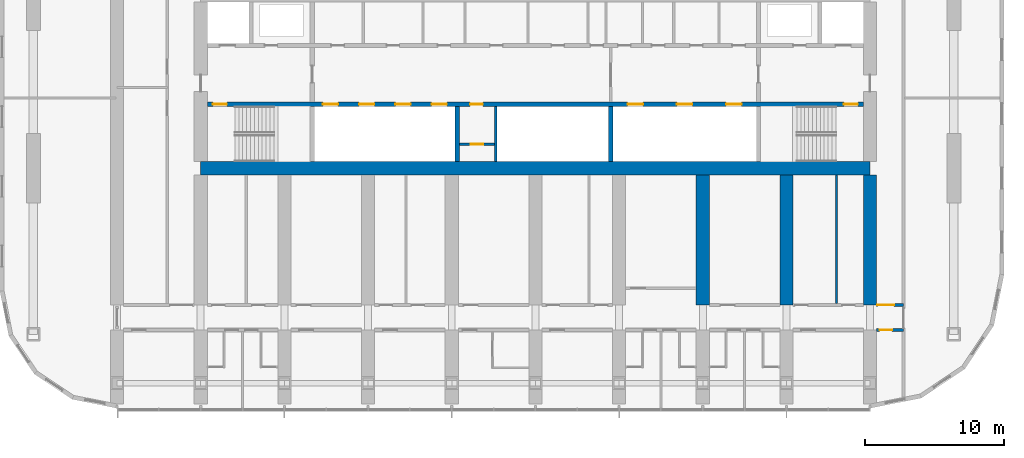
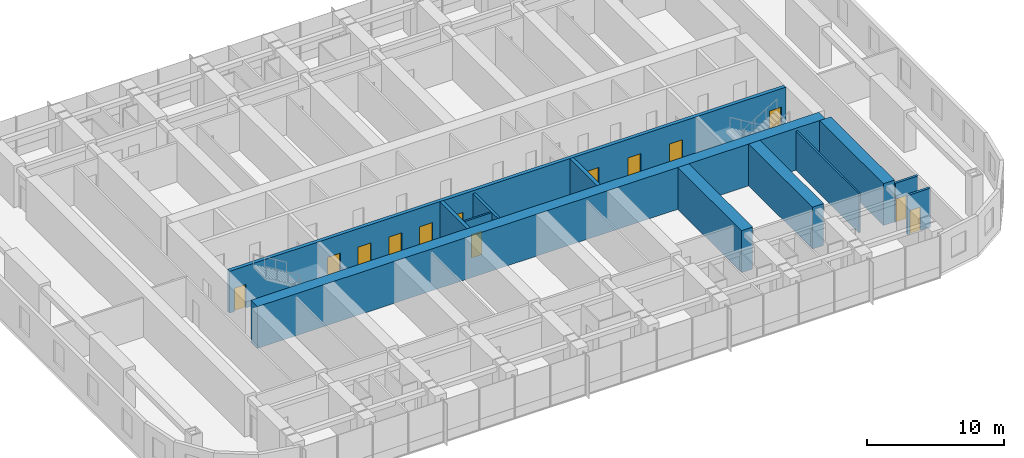
# One storey, part 11 of 21: 13 doors, 12 walls, 13 openings.
"""IFC4 building model written with IfcOpenShell, lengths in metres."""

from ifc_helpers import new_model, si_unit, direction, frame, frame_2d, origin, place, context, subcontext, project, spatial, rectangle, extrude, material, layer, layer_set, type_object, element, fill, save


model = new_model("IFC4")

# Units and contexts
model_context = context("Model", 3, precision=1e-05, world=origin(), true_north=direction((0.0, 1.0)))
body_context = subcontext(model_context, "Body", "Model", "MODEL_VIEW")
ifc_project = project(units=[si_unit("LENGTHUNIT", "METRE"), si_unit("AREAUNIT", "SQUARE_METRE"), si_unit("VOLUMEUNIT", "CUBIC_METRE"), si_unit("PLANEANGLEUNIT", "RADIAN"), si_unit("MASSUNIT", "GRAM", prefix="KILO")], contexts=[model_context])

# Site, building, storey
site_placement = place(None, origin())
site = spatial("IfcSite", under=ifc_project, at=site_placement, CompositionType="ELEMENT")
building_placement = place(site_placement, origin())
building = spatial("IfcBuilding", under=site, at=building_placement, Name="Orbita Commons", CompositionType="ELEMENT")
storey_placement = place(building_placement, frame((0.0, 0.0, 125.64990234375)))
storey = spatial("IfcBuildingStorey", under=building, at=storey_placement, Name="L31", CompositionType="ELEMENT", Elevation=125.64990234375)

# Wall, openings, doors
ifc_material_1 = material(Name="Concrete C50/60", Category="concrete")
ifc_layer_1 = layer(ifc_material_1, 0.300048828125)
ifc_layer_set_1 = layer_set([ifc_layer_1], Name="Concrete C50/60")
wall_type_1 = type_object("IfcWallType", Name="Core inner wall 300 C50/60", PredefinedType="SHEAR", material=ifc_layer_set_1)
wall_1_placement = place(storey_placement, frame((18.47509765625, 30.39990234375, 0.0), z_axis=(0.0, 0.0, 1.0), x_axis=(1.0, 0.0, 0.0)))
wall_1 = element("IfcWall", 1, at=wall_1_placement, inside=storey, type_object=wall_type_1, Name="Lobby wall south L31", PredefinedType="SHEAR", context=body_context, shape_type="SweptSolid", body=[
    extrude(rectangle(XDim=47.0498046875, YDim=0.300048828125, at=frame_2d((23.52490234375, 0.0))), origin(), (0.0, 0.0, 1.0), 3.75),
])
opening_1_placement = place(wall_1_placement, frame((0.39990234375, 0.0, 0.0)))
opening_1 = element("IfcOpeningElement", 2, at=opening_1_placement, cuts=wall_1, Name="Opening D02", PredefinedType="OPENING", context=body_context, shape_type="SweptSolid", body=[
    extrude(rectangle(XDim=1.0, YDim=2.10009765625, at=frame_2d((0.5, 1.050048828125))), frame((0.0, 0.159912109375, 0.0), z_axis=(0.0, -1.0, 0.0), x_axis=(1.0, 0.0, 0.0)), (0.0, 0.0, 1.0), 0.320068359375),
])
opening_2_placement = place(wall_1_placement, frame((45.64990234375, 0.0, 0.0)))
opening_2 = element("IfcOpeningElement", 3, at=opening_2_placement, cuts=wall_1, Name="Opening D02", PredefinedType="OPENING", context=body_context, shape_type="SweptSolid", body=[
    extrude(rectangle(XDim=1.0, YDim=2.10009765625, at=frame_2d((0.5, 1.050048828125))), frame((0.0, 0.159912109375, 0.0), z_axis=(0.0, -1.0, 0.0), x_axis=(1.0, 0.0, 0.0)), (0.0, 0.0, 1.0), 0.320068359375),
])
opening_3_placement = place(wall_1_placement, frame((8.27490234375, 0.0, 0.0)))
opening_3 = element("IfcOpeningElement", 4, at=opening_3_placement, cuts=wall_1, Name="Opening LD02", PredefinedType="OPENING", context=body_context, shape_type="SweptSolid", body=[
    extrude(rectangle(XDim=1.10009765625, YDim=2.10009765625, at=frame_2d((0.550048828125, 1.050048828125))), frame((0.0, 0.159912109375, 0.0), z_axis=(0.0, -1.0, 0.0), x_axis=(1.0, 0.0, 0.0)), (0.0, 0.0, 1.0), 0.320068359375),
])
opening_4_placement = place(wall_1_placement, frame((10.875, 0.0, 0.0)))
opening_4 = element("IfcOpeningElement", 5, at=opening_4_placement, cuts=wall_1, Name="Opening LD02", PredefinedType="OPENING", context=body_context, shape_type="SweptSolid", body=[
    extrude(rectangle(XDim=1.10009765625, YDim=2.10009765625, at=frame_2d((0.550048828125, 1.050048828125))), frame((0.0, 0.159912109375, 0.0), z_axis=(0.0, -1.0, 0.0), x_axis=(1.0, 0.0, 0.0)), (0.0, 0.0, 1.0), 0.320068359375),
])
opening_5_placement = place(wall_1_placement, frame((13.47509765625, 0.0, 0.0)))
opening_5 = element("IfcOpeningElement", 6, at=opening_5_placement, cuts=wall_1, Name="Opening LD02", PredefinedType="OPENING", context=body_context, shape_type="SweptSolid", body=[
    extrude(rectangle(XDim=1.10009765625, YDim=2.10009765625, at=frame_2d((0.550048828125, 1.050048828125))), frame((0.0, 0.159912109375, 0.0), z_axis=(0.0, -1.0, 0.0), x_axis=(1.0, 0.0, 0.0)), (0.0, 0.0, 1.0), 0.320068359375),
])
opening_6_placement = place(wall_1_placement, frame((16.074951171875, 0.0, 0.0)))
opening_6 = element("IfcOpeningElement", 7, at=opening_6_placement, cuts=wall_1, Name="Opening LD02", PredefinedType="OPENING", context=body_context, shape_type="SweptSolid", body=[
    extrude(rectangle(XDim=1.10009765625, YDim=2.10009765625, at=frame_2d((0.550048828125, 1.050048828125))), frame((0.0, 0.159912109375, 0.0), z_axis=(0.0, -1.0, 0.0), x_axis=(1.0, 0.0, 0.0)), (0.0, 0.0, 1.0), 0.320068359375),
])
opening_7_placement = place(wall_1_placement, frame((18.85009765625, 0.0, 0.0)))
opening_7 = element("IfcOpeningElement", 8, at=opening_7_placement, cuts=wall_1, Name="Opening D05", PredefinedType="OPENING", context=body_context, shape_type="SweptSolid", body=[
    extrude(rectangle(XDim=0.89990234375, YDim=2.10009765625, at=frame_2d((0.449951171875, 1.050048828125))), frame((0.0, 0.159912109375, 0.0), z_axis=(0.0, -1.0, 0.0), x_axis=(1.0, 0.0, 0.0)), (0.0, 0.0, 1.0), 0.320068359375),
])
opening_8_placement = place(wall_1_placement, frame((30.1416015625, 0.0, 0.0)))
opening_8 = element("IfcOpeningElement", 9, at=opening_8_placement, cuts=wall_1, Name="Opening LD02", PredefinedType="OPENING", context=body_context, shape_type="SweptSolid", body=[
    extrude(rectangle(XDim=1.10009765625, YDim=2.10009765625, at=frame_2d((0.550048828125, 1.050048828125))), frame((0.0, 0.159912109375, 0.0), z_axis=(0.0, -1.0, 0.0), x_axis=(1.0, 0.0, 0.0)), (0.0, 0.0, 1.0), 0.320068359375),
])
opening_9_placement = place(wall_1_placement, frame((33.675048828125, 0.0, 0.0)))
opening_9 = element("IfcOpeningElement", 10, at=opening_9_placement, cuts=wall_1, Name="Opening LD02", PredefinedType="OPENING", context=body_context, shape_type="SweptSolid", body=[
    extrude(rectangle(XDim=1.10009765625, YDim=2.10009765625, at=frame_2d((0.550048828125, 1.050048828125))), frame((0.0, 0.159912109375, 0.0), z_axis=(0.0, -1.0, 0.0), x_axis=(1.0, 0.0, 0.0)), (0.0, 0.0, 1.0), 0.320068359375),
])
opening_10_placement = place(wall_1_placement, frame((37.208251953125, 0.0, 0.0)))
opening_10 = element("IfcOpeningElement", 11, at=opening_10_placement, cuts=wall_1, Name="Opening LD02", PredefinedType="OPENING", context=body_context, shape_type="SweptSolid", body=[
    extrude(rectangle(XDim=1.10009765625, YDim=2.10009765625, at=frame_2d((0.550048828125, 1.050048828125))), frame((0.0, 0.159912109375, 0.0), z_axis=(0.0, -1.0, 0.0), x_axis=(1.0, 0.0, 0.0)), (0.0, 0.0, 1.0), 0.320068359375),
])
ifc_material_2 = material(Name="Steel-faced fire door leaf", Category="steel")
door_type_1 = type_object("IfcDoorType", Name="Fire door 90 min 1000x2100", OperationType="SINGLE_SWING_LEFT", PredefinedType="DOOR", material=ifc_material_2)
door_1_placement = place(opening_1_placement, origin())
door_1 = element("IfcDoor", 12, at=door_1_placement, inside=storey, type_object=door_type_1, Name="Stair S1 door", OperationType="SINGLE_SWING_LEFT", OverallHeight=2.10009765625, OverallWidth=1.0, PredefinedType="DOOR", context=body_context, shape_type="SweptSolid", body=[
    extrude(rectangle(XDim=1.0, YDim=2.10009765625, at=frame_2d((0.5, 1.050048828125))), frame((0.0, 0.02490234375, 0.0), z_axis=(0.0, -1.0, 0.0), x_axis=(1.0, 0.0, 0.0)), (0.0, 0.0, 1.0), 0.050048828125),
])
fill(opening_1, door_1)
door_2_placement = place(opening_2_placement, origin())
door_2 = element("IfcDoor", 13, at=door_2_placement, inside=storey, type_object=door_type_1, Name="Stair S2 door", OperationType="SINGLE_SWING_LEFT", OverallHeight=2.10009765625, OverallWidth=1.0, PredefinedType="DOOR", context=body_context, shape_type="SweptSolid", body=[
    extrude(rectangle(XDim=1.0, YDim=2.10009765625, at=frame_2d((0.5, 1.050048828125))), frame((0.0, 0.02490234375, 0.0), z_axis=(0.0, -1.0, 0.0), x_axis=(1.0, 0.0, 0.0)), (0.0, 0.0, 1.0), 0.050048828125),
])
fill(opening_2, door_2)
ifc_material_3 = material(Name="Steel-faced fire door leaf", Category="steel")
door_type_2 = type_object("IfcDoorType", Name="Lift landing door 1100x2100", OperationType="DOUBLE_DOOR_SLIDING", PredefinedType="DOOR", material=ifc_material_3)
door_3_placement = place(opening_3_placement, origin())
door_3 = element("IfcDoor", 14, at=door_3_placement, inside=storey, type_object=door_type_2, Name="Lift P21 landing door", OperationType="DOUBLE_DOOR_SLIDING", OverallHeight=2.10009765625, OverallWidth=1.10009765625, PredefinedType="DOOR", context=body_context, shape_type="SweptSolid", body=[
    extrude(rectangle(XDim=1.10009765625, YDim=2.10009765625, at=frame_2d((0.550048828125, 1.050048828125))), frame((0.0, 0.02490234375, 0.0), z_axis=(0.0, -1.0, 0.0), x_axis=(1.0, 0.0, 0.0)), (0.0, 0.0, 1.0), 0.050048828125),
])
fill(opening_3, door_3)
door_4_placement = place(opening_4_placement, origin())
door_4 = element("IfcDoor", 15, at=door_4_placement, inside=storey, type_object=door_type_2, Name="Lift P22 landing door", OperationType="DOUBLE_DOOR_SLIDING", OverallHeight=2.10009765625, OverallWidth=1.10009765625, PredefinedType="DOOR", context=body_context, shape_type="SweptSolid", body=[
    extrude(rectangle(XDim=1.10009765625, YDim=2.10009765625, at=frame_2d((0.550048828125, 1.050048828125))), frame((0.0, 0.02490234375, 0.0), z_axis=(0.0, -1.0, 0.0), x_axis=(1.0, 0.0, 0.0)), (0.0, 0.0, 1.0), 0.050048828125),
])
fill(opening_4, door_4)
door_5_placement = place(opening_5_placement, origin())
door_5 = element("IfcDoor", 16, at=door_5_placement, inside=storey, type_object=door_type_2, Name="Lift P23 landing door", OperationType="DOUBLE_DOOR_SLIDING", OverallHeight=2.10009765625, OverallWidth=1.10009765625, PredefinedType="DOOR", context=body_context, shape_type="SweptSolid", body=[
    extrude(rectangle(XDim=1.10009765625, YDim=2.10009765625, at=frame_2d((0.550048828125, 1.050048828125))), frame((0.0, 0.02490234375, 0.0), z_axis=(0.0, -1.0, 0.0), x_axis=(1.0, 0.0, 0.0)), (0.0, 0.0, 1.0), 0.050048828125),
])
fill(opening_5, door_5)
door_6_placement = place(opening_6_placement, origin())
door_6 = element("IfcDoor", 17, at=door_6_placement, inside=storey, type_object=door_type_2, Name="Lift P24 landing door", OperationType="DOUBLE_DOOR_SLIDING", OverallHeight=2.10009765625, OverallWidth=1.10009765625, PredefinedType="DOOR", context=body_context, shape_type="SweptSolid", body=[
    extrude(rectangle(XDim=1.10009765625, YDim=2.10009765625, at=frame_2d((0.550048828125, 1.050048828125))), frame((0.0, 0.02490234375, 0.0), z_axis=(0.0, -1.0, 0.0), x_axis=(1.0, 0.0, 0.0)), (0.0, 0.0, 1.0), 0.050048828125),
])
fill(opening_6, door_6)
door_7_placement = place(opening_8_placement, origin())
door_7 = element("IfcDoor", 18, at=door_7_placement, inside=storey, type_object=door_type_2, Name="Lift SV1 landing door", OperationType="DOUBLE_DOOR_SLIDING", OverallHeight=2.10009765625, OverallWidth=1.10009765625, PredefinedType="DOOR", context=body_context, shape_type="SweptSolid", body=[
    extrude(rectangle(XDim=1.10009765625, YDim=2.10009765625, at=frame_2d((0.550048828125, 1.050048828125))), frame((0.0, 0.02490234375, 0.0), z_axis=(0.0, -1.0, 0.0), x_axis=(1.0, 0.0, 0.0)), (0.0, 0.0, 1.0), 0.050048828125),
])
fill(opening_8, door_7)
door_8_placement = place(opening_9_placement, origin())
door_8 = element("IfcDoor", 19, at=door_8_placement, inside=storey, type_object=door_type_2, Name="Lift SV2 landing door", OperationType="DOUBLE_DOOR_SLIDING", OverallHeight=2.10009765625, OverallWidth=1.10009765625, PredefinedType="DOOR", context=body_context, shape_type="SweptSolid", body=[
    extrude(rectangle(XDim=1.10009765625, YDim=2.10009765625, at=frame_2d((0.550048828125, 1.050048828125))), frame((0.0, 0.02490234375, 0.0), z_axis=(0.0, -1.0, 0.0), x_axis=(1.0, 0.0, 0.0)), (0.0, 0.0, 1.0), 0.050048828125),
])
fill(opening_9, door_8)
door_9_placement = place(opening_10_placement, origin())
door_9 = element("IfcDoor", 20, at=door_9_placement, inside=storey, type_object=door_type_2, Name="Lift SV3 landing door", OperationType="DOUBLE_DOOR_SLIDING", OverallHeight=2.10009765625, OverallWidth=1.10009765625, PredefinedType="DOOR", context=body_context, shape_type="SweptSolid", body=[
    extrude(rectangle(XDim=1.10009765625, YDim=2.10009765625, at=frame_2d((0.550048828125, 1.050048828125))), frame((0.0, 0.02490234375, 0.0), z_axis=(0.0, -1.0, 0.0), x_axis=(1.0, 0.0, 0.0)), (0.0, 0.0, 1.0), 0.050048828125),
])
fill(opening_10, door_9)
ifc_material_4 = material(Name="Steel-faced fire door leaf", Category="steel")
door_type_3 = type_object("IfcDoorType", Name="Service door 20 min 900x2100", OperationType="SINGLE_SWING_LEFT", PredefinedType="DOOR", material=ifc_material_4)
door_10_placement = place(opening_7_placement, origin())
door_10 = element("IfcDoor", 21, at=door_10_placement, inside=storey, type_object=door_type_3, Name="Residents' store door", OperationType="SINGLE_SWING_LEFT", OverallHeight=2.10009765625, OverallWidth=0.89990234375, PredefinedType="DOOR", context=body_context, shape_type="SweptSolid", body=[
    extrude(rectangle(XDim=0.89990234375, YDim=2.10009765625, at=frame_2d((0.449951171875, 1.050048828125))), frame((0.0, 0.02490234375, 0.0), z_axis=(0.0, -1.0, 0.0), x_axis=(1.0, 0.0, 0.0)), (0.0, 0.0, 1.0), 0.050048828125),
])
fill(opening_7, door_10)

# Walls
for number, where, z_axis, x_axis, name in (
    (22, (36.39990234375, 26.27490234375, 0.0), (0.0, 0.0, 1.0), (0.0, 1.0, 0.0), "Hoistway division wall L31"),
    (23, (47.39990234375, 26.27490234375, 0.0), (0.0, 0.0, 1.0), (0.0, 1.0, 0.0), "Hoistway division wall L31"),
):
    element("IfcWall", number, at=place(storey_placement, frame(where, z_axis=z_axis, x_axis=x_axis)), inside=storey, type_object=wall_type_1, Name=name, PredefinedType="SHEAR", context=body_context, shape_type="SweptSolid", body=[
        extrude(rectangle(XDim=3.97509765625, YDim=0.300048828125, at=frame_2d((1.987548828125, 0.0))), origin(), (0.0, 0.0, 1.0), 3.75),
    ])

# Wall, opening, door
ifc_material_5 = material(Name="Concrete blockwork", Category="masonry")
ifc_layer_2 = layer(ifc_material_5, 0.14990234375)
ifc_layer_set_2 = layer_set([ifc_layer_2], Name="Concrete blockwork")
wall_type_2 = type_object("IfcWallType", Name="Core partition 150 blockwork", PredefinedType="SOLIDWALL", material=ifc_layer_set_2)
wall_2_placement = place(storey_placement, frame((36.550048828125, 27.52490234375, 0.0), z_axis=(0.0, 0.0, 1.0), x_axis=(1.0, 0.0, 0.0)))
wall_2 = element("IfcWall", 24, at=wall_2_placement, inside=storey, type_object=wall_type_2, Name="Core partition 150 blockwork L31", PredefinedType="SOLIDWALL", context=body_context, shape_type="SweptSolid", body=[
    extrude(rectangle(XDim=2.5, YDim=0.14990234375, at=frame_2d((1.25, 0.0))), origin(), (0.0, 0.0, 1.0), 3.5),
])
opening_11_placement = place(wall_2_placement, frame((0.800048828125, 0.0, 0.0)))
opening_11 = element("IfcOpeningElement", 25, at=opening_11_placement, cuts=wall_2, Name="Opening D05", PredefinedType="OPENING", context=body_context, shape_type="SweptSolid", body=[
    extrude(rectangle(XDim=0.89990234375, YDim=2.10009765625, at=frame_2d((0.449951171875, 1.050048828125))), frame((0.0, 0.0849609375, 0.0), z_axis=(0.0, -1.0, 0.0), x_axis=(1.0, 0.0, 0.0)), (0.0, 0.0, 1.0), 0.169921875),
])
door_11_placement = place(opening_11_placement, origin())
door_11 = element("IfcDoor", 26, at=door_11_placement, inside=storey, type_object=door_type_3, Name="Cupboard door off Residents' store", OperationType="SINGLE_SWING_LEFT", OverallHeight=2.10009765625, OverallWidth=0.89990234375, PredefinedType="DOOR", context=body_context, shape_type="SweptSolid", body=[
    extrude(rectangle(XDim=0.89990234375, YDim=2.10009765625, at=frame_2d((0.449951171875, 1.050048828125))), frame((0.0, 0.02490234375, 0.0), z_axis=(0.0, -1.0, 0.0), x_axis=(1.0, 0.0, 0.0)), (0.0, 0.0, 1.0), 0.050048828125),
])
fill(opening_11, door_11)

# Wall
ifc_material_6 = material(Name="Concrete C50/60", Category="concrete")
ifc_layer_3 = layer(ifc_material_6, 0.949951171875)
ifc_layer_set_3 = layer_set([ifc_layer_3], Name="Concrete C50/60")
wall_type_3 = type_object("IfcWallType", Name="Core wall 950 C50/60", PredefinedType="SHEAR", material=ifc_layer_set_3)
wall_3_placement = place(storey_placement, frame((18.0, 25.800048828125, 0.0), z_axis=(0.0, 0.0, 1.0), x_axis=(1.0, 0.0, 0.0)))
element("IfcWall", 27, at=wall_3_placement, inside=storey, type_object=wall_type_3, Name="Core spine wall south L31", PredefinedType="SHEAR", context=body_context, shape_type="SweptSolid", body=[
    extrude(rectangle(XDim=48.0, YDim=0.949951171875, at=frame_2d((24.0, 0.0))), origin(), (0.0, 0.0, 1.0), 3.75),
])

# Wall, opening, door
ifc_material_7 = material(Name="Concrete blockwork", Category="masonry")
ifc_layer_4 = layer(ifc_material_7, 0.199951171875)
ifc_layer_set_4 = layer_set([ifc_layer_4], Name="Concrete blockwork")
wall_type_4 = type_object("IfcWallType", Name="Corridor wall 200 blockwork", PredefinedType="SOLIDWALL", material=ifc_layer_set_4)
wall_4_placement = place(storey_placement, frame((66.47509765625, 14.199951171875, 0.0), z_axis=(0.0, 0.0, 1.0), x_axis=(1.0, 0.0, 0.0)))
wall_4 = element("IfcWall", 28, at=wall_4_placement, inside=storey, type_object=wall_type_4, Name="Corridor wall 200 blockwork L31", PredefinedType="SOLIDWALL", context=body_context, shape_type="SweptSolid", body=[
    extrude(rectangle(XDim=1.9248046875, YDim=0.199951171875, at=frame_2d((0.96240234375, 0.0))), origin(), (0.0, 0.0, 1.0), 3.5),
])
opening_12_placement = place(wall_4_placement, frame((0.199951171875, 0.0, 0.0)))
opening_12 = element("IfcOpeningElement", 29, at=opening_12_placement, cuts=wall_4, Name="Opening D05", PredefinedType="OPENING", context=body_context, shape_type="SweptSolid", body=[
    extrude(rectangle(XDim=0.89990234375, YDim=2.10009765625, at=frame_2d((0.449951171875, 1.050048828125))), frame((0.0, 0.10986328125, 0.0), z_axis=(0.0, -1.0, 0.0), x_axis=(1.0, 0.0, 0.0)), (0.0, 0.0, 1.0), 0.219970703125),
])
door_12_placement = place(opening_12_placement, origin())
door_12 = element("IfcDoor", 30, at=door_12_placement, inside=storey, type_object=door_type_3, Name="Linen store L31-KES door", OperationType="SINGLE_SWING_LEFT", OverallHeight=2.10009765625, OverallWidth=0.89990234375, PredefinedType="DOOR", context=body_context, shape_type="SweptSolid", body=[
    extrude(rectangle(XDim=0.89990234375, YDim=2.10009765625, at=frame_2d((0.449951171875, 1.050048828125))), frame((0.0, 0.02490234375, 0.0), z_axis=(0.0, -1.0, 0.0), x_axis=(1.0, 0.0, 0.0)), (0.0, 0.0, 1.0), 0.050048828125),
])
fill(opening_12, door_12)

ifc_material_8 = material(Name="Hollow concrete block 200", Category="concrete")
ifc_layer_5 = layer(ifc_material_8, 0.199951171875)
ifc_layer_set_5 = layer_set([ifc_layer_5], Name="Hollow concrete block 200")
wall_type_5 = type_object("IfcWallType", Name="Corridor wall 200 hollow concrete block", PredefinedType="SOLIDWALL", material=ifc_layer_set_5)
wall_5_placement = place(storey_placement, frame((66.47509765625, 16.0, 0.0), z_axis=(0.0, 0.0, 1.0), x_axis=(1.0, 0.0, 0.0)))
wall_5 = element("IfcWall", 31, at=wall_5_placement, inside=storey, type_object=wall_type_5, Name="Corridor wall 200 hollow concrete block L31", PredefinedType="SOLIDWALL", context=body_context, shape_type="SweptSolid", body=[
    extrude(rectangle(XDim=1.9248046875, YDim=0.199951171875, at=frame_2d((0.96240234375, 0.0))), origin(), (0.0, 0.0, 1.0), 3.5),
])
opening_13_placement = place(wall_5_placement, frame((0.050048828125, 0.0, 0.0)))
opening_13 = element("IfcOpeningElement", 32, at=opening_13_placement, cuts=wall_5, Name="Opening D12", PredefinedType="OPENING", context=body_context, shape_type="SweptSolid", body=[
    extrude(rectangle(XDim=1.199951171875, YDim=2.10009765625, at=frame_2d((0.60009765625, 1.050048828125))), frame((0.0, 0.10986328125, 0.0), z_axis=(0.0, -1.0, 0.0), x_axis=(1.0, 0.0, 0.0)), (0.0, 0.0, 1.0), 0.219970703125),
])
ifc_material_9 = material(Name="Steel-faced fire door leaf", Category="steel")
door_type_4 = type_object("IfcDoorType", Name="Double corridor door 20 min 1200x2100", OperationType="DOUBLE_DOOR_SINGLE_SWING", PredefinedType="DOOR", material=ifc_material_9)
door_13_placement = place(opening_13_placement, origin())
door_13 = element("IfcDoor", 33, at=door_13_placement, inside=storey, type_object=door_type_4, Name="Cross corridor doors", OperationType="DOUBLE_DOOR_SINGLE_SWING", OverallHeight=2.10009765625, OverallWidth=1.199951171875, PredefinedType="DOOR", context=body_context, shape_type="SweptSolid", body=[
    extrude(rectangle(XDim=1.199951171875, YDim=2.10009765625, at=frame_2d((0.60009765625, 1.050048828125))), frame((0.0, 0.02490234375, 0.0), z_axis=(0.0, -1.0, 0.0), x_axis=(1.0, 0.0, 0.0)), (0.0, 0.0, 1.0), 0.050048828125),
])
fill(opening_13, door_13)

# Walls
ifc_material_10 = material(Name="Concrete C50/60", Category="concrete")
ifc_layer_6 = layer(ifc_material_10, 0.949951171875)
ifc_layer_set_6 = layer_set([ifc_layer_6], Name="Concrete C50/60")
wall_type_6 = type_object("IfcWallType", Name="Cross wall 950 C50/60", PredefinedType="SHEAR", material=ifc_layer_set_6)
for number, where, z_axis, x_axis, name in (
    (34, (54.0, 16.0, 0.0), (0.0, 0.0, 1.0), (0.0, 1.0, 0.0), "Cross wall 10 south inner L31"),
    (35, (60.0, 16.0, 0.0), (0.0, 0.0, 1.0), (0.0, 1.0, 0.0), "Cross wall 11 south inner L31"),
    (36, (66.0, 16.0, 0.0), (0.0, 0.0, 1.0), (0.0, 1.0, 0.0), "Cross wall 12 south inner L31"),
):
    element("IfcWall", number, at=place(storey_placement, frame(where, z_axis=z_axis, x_axis=x_axis)), inside=storey, type_object=wall_type_6, Name=name, PredefinedType="SHEAR", context=body_context, shape_type="SweptSolid", body=[
        extrude(rectangle(XDim=9.324951171875, YDim=0.949951171875, at=frame_2d((4.66259765625, 0.0))), origin(), (0.0, 0.0, 1.0), 3.75),
    ])
ifc_material_11 = material(Name="Gypsum plasterboard on steel studs", Category="steel")
ifc_layer_7 = layer(ifc_material_11, 0.14990234375)
ifc_layer_set_7 = layer_set([ifc_layer_7], Name="Gypsum plasterboard on steel studs")
wall_type_7 = type_object("IfcWallType", Name="Partition 150 plasterboard", PredefinedType="PARTITIONING", material=ifc_layer_set_7)
wall_6_placement = place(storey_placement, frame((63.5849609375, 16.10009765625, 0.0), z_axis=(0.0, 0.0, 1.0), x_axis=(0.0, 1.0, 0.0)))
element("IfcWall", 37, at=wall_6_placement, inside=storey, type_object=wall_type_7, Name="Partition 150 plasterboard L31", PredefinedType="PARTITIONING", context=body_context, shape_type="SweptSolid", body=[
    extrude(rectangle(XDim=9.224853515625, YDim=0.14990234375, at=frame_2d((4.6123046875, 0.0))), origin(), (0.0, 0.0, 1.0), 3.5),
])
ifc_material_12 = material(Name="Concrete blockwork, fully filled", Category="masonry")
ifc_layer_8 = layer(ifc_material_12, 0.199951171875)
ifc_layer_set_8 = layer_set([ifc_layer_8], Name="Concrete blockwork, fully filled")
wall_type_8 = type_object("IfcWallType", Name="Shaft partition 200 blockwork", PredefinedType="SOLIDWALL", material=ifc_layer_set_8)
wall_7_placement = place(storey_placement, frame((39.14990234375, 26.27490234375, 0.0), z_axis=(0.0, 0.0, 1.0), x_axis=(0.0, 1.0, 0.0)))
element("IfcWall", 38, at=wall_7_placement, inside=storey, type_object=wall_type_8, Name="Shaft partition 200 blockwork L31", PredefinedType="SOLIDWALL", context=body_context, shape_type="SweptSolid", body=[
    extrude(rectangle(XDim=3.97509765625, YDim=0.199951171875, at=frame_2d((1.987548828125, 0.0))), origin(), (0.0, 0.0, 1.0), 3.5),
])

save(model, "model.ifc")
